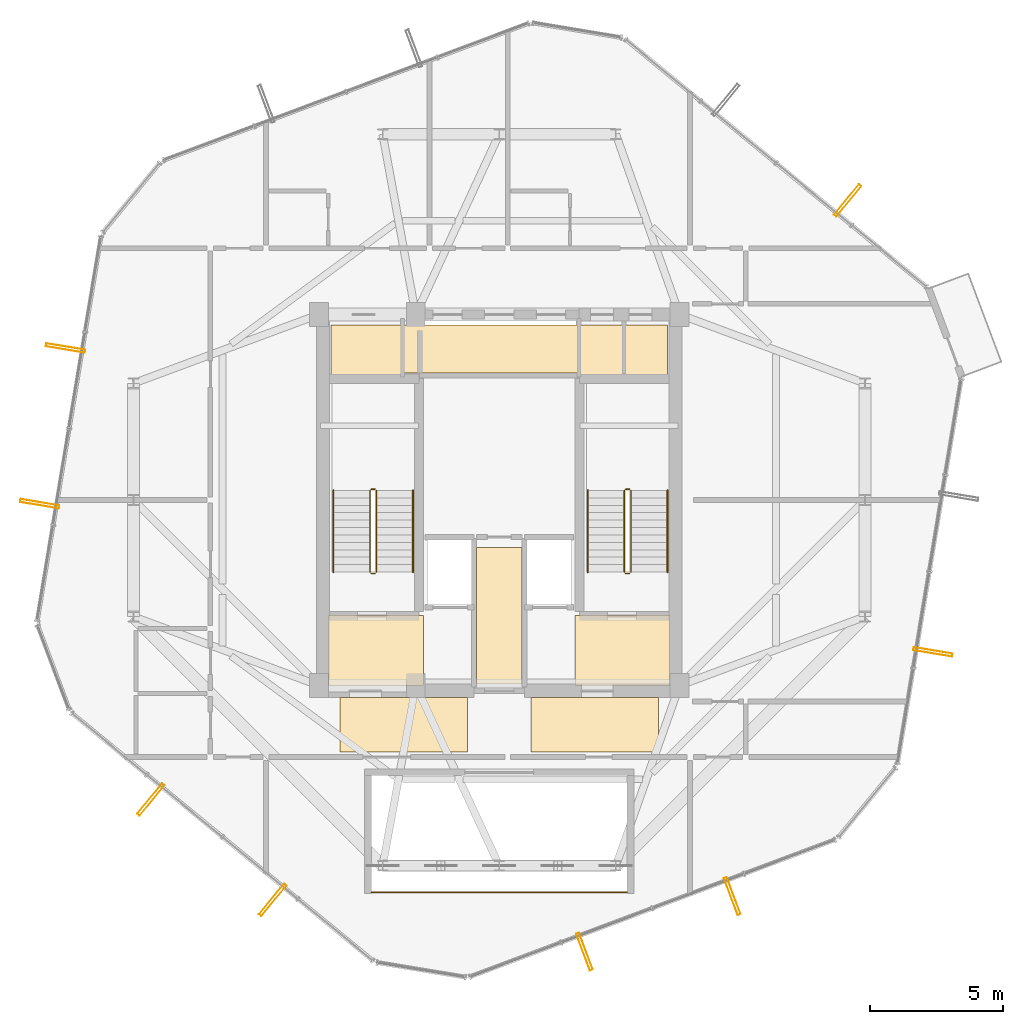
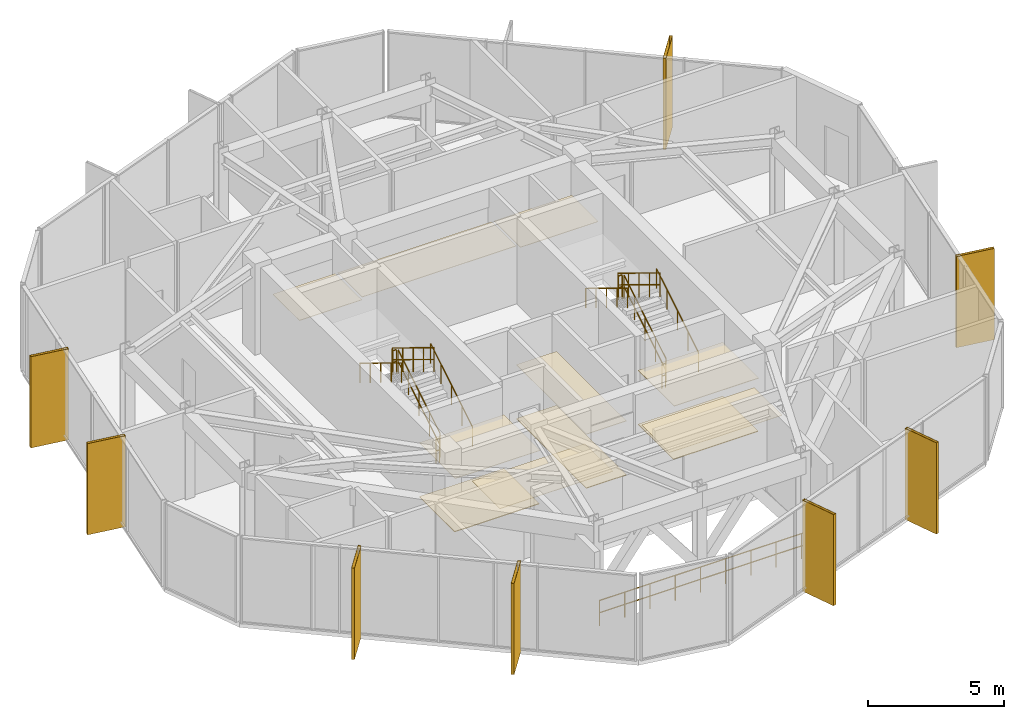
# One storey, part 21 of 22: 13 railings, 11 coverings, 8 shading devices.
"""IFC4 building model written with IfcOpenShell, lengths in metres."""

from ifc_helpers import new_model, si_unit, direction, frame, origin, origin_2d, place, context, subcontext, project, spatial, polyline, hollow_rectangle, circle, outline, extrude, material, layer, layer_set, material_profile, profile_set, type_object, element, save


model = new_model("IFC4")

# Units and contexts
model_context = context("Model", 3, precision=1e-05, world=origin(), true_north=direction((0.0, 1.0)))
body_context = subcontext(model_context, "Body", "Model", "MODEL_VIEW")
ifc_project = project(units=[si_unit("LENGTHUNIT", "METRE"), si_unit("AREAUNIT", "SQUARE_METRE"), si_unit("VOLUMEUNIT", "CUBIC_METRE"), si_unit("PLANEANGLEUNIT", "RADIAN"), si_unit("MASSUNIT", "GRAM", prefix="KILO")], contexts=[model_context])

# Site, building, storey
site_placement = place(None, origin())
site = spatial("IfcSite", under=ifc_project, at=site_placement, CompositionType="ELEMENT")
building_placement = place(site_placement, origin())
building = spatial("IfcBuilding", under=site, at=building_placement, Name="Veraguas Prism Commons", CompositionType="ELEMENT")
storey_placement = place(building_placement, frame((0.0, 0.0, 240.64990234375)))
storey = spatial("IfcBuildingStorey", under=building, at=storey_placement, Name="L68", CompositionType="ELEMENT", Elevation=240.64990234375)

# Shading devices
ifc_material_1 = material(Name="Anodised aluminium EN AW-6063 T6", Category="aluminium")
ifc_material_profile = material_profile(ifc_material_1, hollow_rectangle(XDim=0.1201171875, YDim=1.489990234375, WallThickness=0.006103515625, at=origin_2d()), Name="FIN120X1490X6")
ifc_profile_set = profile_set([ifc_material_profile], Name="Anodised aluminium EN AW-6063 T6")
shading_device_type = type_object("IfcShadingDeviceType", Name="Deep Pale-Metal Vertical Solar Fin 120x1490", PredefinedType="USERDEFINED", material=ifc_profile_set)
for number, where, z_axis, x_axis, name in (
    (1, (37.1455078125, 35.3037109375, -0.21484375), (0.0, 0.0, 1.0), (-0.772516396797, 0.634994816262, 0.0), "Vertical Pale-Metal Solar Fin L68-F1A"),
    (2, (7.63818359375, 29.732421875, -0.21484375), (0.0, 0.0, 1.0), (-0.163666887347, -0.986515661298, 0.0), "Vertical Pale-Metal Solar Fin L68-F3A"),
    (3, (6.66357421875, 23.8583984375, -0.21484375), (0.0, 0.0, 1.0), (-0.163666887347, -0.986515661298, 0.0), "Vertical Pale-Metal Solar Fin L68-F3B"),
    (4, (10.8544921875, 12.6962890625, -0.21484375), (0.0, 0.0, 1.0), (0.772516396797, -0.634994816262, 0.0), "Vertical Pale-Metal Solar Fin L68-F4A"),
    (5, (15.45458984375, 8.915283203125, -0.21484375), (0.0, 0.0, 1.0), (0.772516396797, -0.634994816262, 0.0), "Vertical Pale-Metal Solar Fin L68-F4B"),
    (6, (27.21630859375, 6.9638671875, -0.21484375), (0.0, 0.0, 1.0), (0.936182294613, 0.351514880558, 0.0), "Vertical Pale-Metal Solar Fin L68-F5A"),
    (7, (32.791015625, 9.056884765625, -0.21484375), (0.0, 0.0, 1.0), (0.936182294613, 0.351514880558, 0.0), "Vertical Pale-Metal Solar Fin L68-F5B"),
    (8, (40.36181640625, 18.267578125, -0.21484375), (0.0, 0.0, 1.0), (0.163666887347, 0.986515661298, 0.0), "Vertical Pale-Metal Solar Fin L68-F6A"),
):
    element("IfcShadingDevice", number, at=place(storey_placement, frame(where, z_axis=z_axis, x_axis=x_axis)), inside=storey, type_object=shading_device_type, Name=name, ObjectType="FIN", PredefinedType="USERDEFINED", context=body_context, shape_type="SweptSolid", body=[
        extrude(hollow_rectangle(XDim=0.1201171875, YDim=1.489990234375, WallThickness=0.006103515625, at=origin_2d()), origin(), (0.0, 0.0, 1.0), 4.099853515625),
    ])

# Coverings
ifc_material_2 = material(Name="Acoustic gypsum board")
ifc_layer_1 = layer(ifc_material_2, 0.02490234375, Name="Perforated Acoustic Ceiling Tile 25")
ifc_layer_set_1 = layer_set([ifc_layer_1], Name="Acoustic gypsum board")
covering_type_1 = type_object("IfcCoveringType", Name="Perforated Acoustic Ceiling Tile 25", PredefinedType="USERDEFINED", material=ifc_layer_set_1)
covering_1_placement = place(storey_placement, frame((0.0, 0.0, 2.425048828125)))
element("IfcCovering", 9, at=covering_1_placement, inside=storey, type_object=covering_type_1, Name="East Lobby Acoustic Ceiling L68", ObjectType="ACOUSTIC CEILING", PredefinedType="USERDEFINED", context=body_context, shape_type="SweptSolid", body=[
    extrude(outline(polyline([(26.85009765625, 17.0), (30.449951171875, 17.0), (30.449951171875, 19.64990234375), (26.85009765625, 19.64990234375), (26.85009765625, 17.0)])), origin(), (0.0, 0.0, 1.0), 0.025146484375),
])
ifc_material_3 = material(Name="Terrazzo stone finish", Category="masonry")
ifc_layer_2 = layer(ifc_material_3, 0.030029296875, Name="Polished Terrazzo Floor Finish 30", Category="masonry")
ifc_layer_set_2 = layer_set([ifc_layer_2], Name="Terrazzo stone finish")
covering_type_2 = type_object("IfcCoveringType", Name="Polished Terrazzo Floor Finish 30", PredefinedType="FLOORING", material=ifc_layer_set_2)
covering_2_placement = place(storey_placement, origin())
element("IfcCovering", 10, at=covering_2_placement, inside=storey, type_object=covering_type_2, Name="Terrazzo Lobby Flooring L68", PredefinedType="FLOORING", context=body_context, shape_type="SweptSolid", body=[
    extrude(outline(polyline([(23.14990234375, 17.050048828125), (24.85009765625, 17.050048828125), (24.85009765625, 22.199951171875), (23.14990234375, 22.199951171875), (23.14990234375, 17.050048828125)])), origin(), (0.0, 0.0, 1.0), 0.030029296875),
])
covering_3_placement = place(storey_placement, origin())
element("IfcCovering", 11, at=covering_3_placement, inside=storey, type_object=covering_type_2, Name="West FF Lobby Terrazzo Flooring L68", PredefinedType="FLOORING", context=body_context, shape_type="SweptSolid", body=[
    extrude(outline(polyline([(17.550048828125, 17.050048828125), (21.14990234375, 17.050048828125), (21.14990234375, 19.64990234375), (17.550048828125, 19.64990234375), (17.550048828125, 17.050048828125)])), origin(), (0.0, 0.0, 1.0), 0.030029296875),
])
covering_4_placement = place(storey_placement, origin())
element("IfcCovering", 12, at=covering_4_placement, inside=storey, type_object=covering_type_2, Name="East FF Lobby Terrazzo Flooring L68", PredefinedType="FLOORING", context=body_context, shape_type="SweptSolid", body=[
    extrude(outline(polyline([(26.85009765625, 17.050048828125), (30.449951171875, 17.050048828125), (30.449951171875, 19.64990234375), (26.85009765625, 19.64990234375), (26.85009765625, 17.050048828125)])), origin(), (0.0, 0.0, 1.0), 0.030029296875),
])

# Railings
ifc_material_4 = material(Name="Stainless steel AISI 316", Category="steel")
railing_type_1 = type_object("IfcRailingType", Name="Setback and Wind Portal Guardrail 1150", PredefinedType="GUARDRAIL", material=ifc_material_4)
railing_1_placement = place(storey_placement, frame((19.175048828125, 9.199951171875, 0.0)))
element("IfcRailing", 13, at=railing_1_placement, inside=storey, type_object=railing_type_1, Name="Wind Portal Aerodynamic Lip Guardrail L68", PredefinedType="GUARDRAIL", context=body_context, shape_type="SweptSolid", body=[
    extrude(circle(Radius=0.02392578125, at=origin_2d()), frame((0.0, 0.0, 1.1259765625), z_axis=(1.0, 0.0, 0.0), x_axis=(0.0, 1.0, 0.0)), (0.0, 0.0, 1.0), 9.64990234375),
    extrude(circle(Radius=0.02392578125, at=origin_2d()), frame((0.0, 0.0, 0.574951171875), z_axis=(1.0, 0.0, 0.0), x_axis=(0.0, 1.0, 0.0)), (0.0, 0.0, 1.0), 9.64990234375),
    extrude(circle(Radius=0.02099609375, at=origin_2d()), origin(), (0.0, 0.0, 1.0), 1.101806640625),
    extrude(circle(Radius=0.02099609375, at=origin_2d()), frame((1.072265625, 0.0, 0.0)), (0.0, 0.0, 1.0), 1.101806640625),
    extrude(circle(Radius=0.02099609375, at=origin_2d()), frame((2.14453125, 0.0, 0.0)), (0.0, 0.0, 1.0), 1.101806640625),
    extrude(circle(Radius=0.02099609375, at=origin_2d()), frame((3.216552734375, 0.0, 0.0)), (0.0, 0.0, 1.0), 1.101806640625),
    extrude(circle(Radius=0.02099609375, at=origin_2d()), frame((4.288818359375, 0.0, 0.0)), (0.0, 0.0, 1.0), 1.101806640625),
    extrude(circle(Radius=0.02099609375, at=origin_2d()), frame((5.361083984375, 0.0, 0.0)), (0.0, 0.0, 1.0), 1.101806640625),
    extrude(circle(Radius=0.02099609375, at=origin_2d()), frame((6.433349609375, 0.0, 0.0)), (0.0, 0.0, 1.0), 1.101806640625),
    extrude(circle(Radius=0.02099609375, at=origin_2d()), frame((7.50537109375, 0.0, 0.0)), (0.0, 0.0, 1.0), 1.101806640625),
    extrude(circle(Radius=0.02099609375, at=origin_2d()), frame((8.57763671875, 0.0, 0.0)), (0.0, 0.0, 1.0), 1.101806640625),
    extrude(circle(Radius=0.02099609375, at=origin_2d()), frame((9.64990234375, 0.0, 0.0)), (0.0, 0.0, 1.0), 1.101806640625),
])
railing_type_2 = type_object("IfcRailingType", Name="Stair and Ramp Stainless Handrail 900", PredefinedType="HANDRAIL", material=ifc_material_4)
railing_2_placement = place(storey_placement, frame((20.75, 21.280029296875, 0.1708984375)))
element("IfcRailing", 14, at=railing_2_placement, inside=storey, type_object=railing_type_2, Name="Stair Handrail ST-01 L68-1", PredefinedType="HANDRAIL", context=body_context, shape_type="SweptSolid", body=[
    extrude(circle(Radius=0.02392578125, at=origin_2d()), frame((0.0, 0.0, 0.8759765625), z_axis=(0.0, 0.853666305674, 0.52082035152), x_axis=(-1.0, 0.0, 0.0)), (0.0, 0.0, 1.0), 3.608154296875),
    extrude(circle(Radius=0.02099609375, at=origin_2d()), origin(), (0.0, 0.0, 1.0), 0.851806640625),
    extrude(circle(Radius=0.02099609375, at=origin_2d()), frame((0.0, 0.77001953125, 0.4697265625)), (0.0, 0.0, 1.0), 0.851806640625),
    extrude(circle(Radius=0.02099609375, at=origin_2d()), frame((0.0, 1.5400390625, 0.939453125)), (0.0, 0.0, 1.0), 0.851806640625),
    extrude(circle(Radius=0.02099609375, at=origin_2d()), frame((0.0, 2.31005859375, 1.409423828125)), (0.0, 0.0, 1.0), 0.851806640625),
    extrude(circle(Radius=0.02099609375, at=origin_2d()), frame((0.0, 3.080078125, 1.879150390625)), (0.0, 0.0, 1.0), 0.851806640625),
])
railing_3_placement = place(storey_placement, frame((17.739990234375, 24.360107421875, 2.220947265625)))
element("IfcRailing", 15, at=railing_3_placement, inside=storey, type_object=railing_type_2, Name="Stair Handrail ST-01 L68-2", PredefinedType="HANDRAIL", context=body_context, shape_type="SweptSolid", body=[
    extrude(circle(Radius=0.02392578125, at=origin_2d()), frame((0.0, 0.0, 0.8759765625), z_axis=(0.0, -0.853666305674, 0.52082035152), x_axis=(1.0, 0.0, 0.0)), (0.0, 0.0, 1.0), 3.608154296875),
    extrude(circle(Radius=0.02099609375, at=origin_2d()), origin(), (0.0, 0.0, 1.0), 0.851806640625),
    extrude(circle(Radius=0.02099609375, at=origin_2d()), frame((0.0, -0.77001953125, 0.4697265625)), (0.0, 0.0, 1.0), 0.851806640625),
    extrude(circle(Radius=0.02099609375, at=origin_2d()), frame((0.0, -1.5400390625, 0.939453125)), (0.0, 0.0, 1.0), 0.851806640625),
    extrude(circle(Radius=0.02099609375, at=origin_2d()), frame((0.0, -2.31005859375, 1.409423828125)), (0.0, 0.0, 1.0), 0.851806640625),
    extrude(circle(Radius=0.02099609375, at=origin_2d()), frame((0.0, -3.080078125, 1.879150390625)), (0.0, 0.0, 1.0), 0.851806640625),
])
railing_4_placement = place(storey_placement, frame((30.35009765625, 21.280029296875, 0.1708984375)))
element("IfcRailing", 16, at=railing_4_placement, inside=storey, type_object=railing_type_2, Name="Stair Handrail ST-02 L68-1", PredefinedType="HANDRAIL", context=body_context, shape_type="SweptSolid", body=[
    extrude(circle(Radius=0.02392578125, at=origin_2d()), frame((0.0, 0.0, 0.8759765625), z_axis=(0.0, 0.853666305674, 0.52082035152), x_axis=(-1.0, 0.0, 0.0)), (0.0, 0.0, 1.0), 3.608154296875),
    extrude(circle(Radius=0.02099609375, at=origin_2d()), origin(), (0.0, 0.0, 1.0), 0.851806640625),
    extrude(circle(Radius=0.02099609375, at=origin_2d()), frame((0.0, 0.77001953125, 0.4697265625)), (0.0, 0.0, 1.0), 0.851806640625),
    extrude(circle(Radius=0.02099609375, at=origin_2d()), frame((0.0, 1.5400390625, 0.939453125)), (0.0, 0.0, 1.0), 0.851806640625),
    extrude(circle(Radius=0.02099609375, at=origin_2d()), frame((0.0, 2.31005859375, 1.409423828125)), (0.0, 0.0, 1.0), 0.851806640625),
    extrude(circle(Radius=0.02099609375, at=origin_2d()), frame((0.0, 3.080078125, 1.879150390625)), (0.0, 0.0, 1.0), 0.851806640625),
])
railing_5_placement = place(storey_placement, frame((27.340087890625, 24.360107421875, 2.220947265625)))
element("IfcRailing", 17, at=railing_5_placement, inside=storey, type_object=railing_type_2, Name="Stair Handrail ST-02 L68-2", PredefinedType="HANDRAIL", context=body_context, shape_type="SweptSolid", body=[
    extrude(circle(Radius=0.02392578125, at=origin_2d()), frame((0.0, 0.0, 0.8759765625), z_axis=(0.0, -0.853666305674, 0.52082035152), x_axis=(1.0, 0.0, 0.0)), (0.0, 0.0, 1.0), 3.608154296875),
    extrude(circle(Radius=0.02099609375, at=origin_2d()), origin(), (0.0, 0.0, 1.0), 0.851806640625),
    extrude(circle(Radius=0.02099609375, at=origin_2d()), frame((0.0, -0.77001953125, 0.4697265625)), (0.0, 0.0, 1.0), 0.851806640625),
    extrude(circle(Radius=0.02099609375, at=origin_2d()), frame((0.0, -1.5400390625, 0.939453125)), (0.0, 0.0, 1.0), 0.851806640625),
    extrude(circle(Radius=0.02099609375, at=origin_2d()), frame((0.0, -2.31005859375, 1.409423828125)), (0.0, 0.0, 1.0), 0.851806640625),
    extrude(circle(Radius=0.02099609375, at=origin_2d()), frame((0.0, -3.080078125, 1.879150390625)), (0.0, 0.0, 1.0), 0.851806640625),
])
railing_type_3 = type_object("IfcRailingType", Name="Stairwell Safety Guardrail 1100", PredefinedType="GUARDRAIL", material=ifc_material_4)
railing_6_placement = place(storey_placement, frame((19.3701171875, 21.280029296875, 0.1708984375)))
element("IfcRailing", 18, at=railing_6_placement, inside=storey, type_object=railing_type_3, Name="Stair Guard ST-01 L68-1", PredefinedType="GUARDRAIL", context=body_context, shape_type="SweptSolid", body=[
    extrude(circle(Radius=0.02392578125, at=origin_2d()), frame((0.0, 0.0, 1.076171875), z_axis=(0.0, 0.853666305674, 0.52082035152), x_axis=(-1.0, 0.0, 0.0)), (0.0, 0.0, 1.0), 3.608154296875),
    extrude(circle(Radius=0.02392578125, at=origin_2d()), frame((0.0, 0.0, 0.550048828125), z_axis=(0.0, 0.853666305674, 0.52082035152), x_axis=(-1.0, 0.0, 0.0)), (0.0, 0.0, 1.0), 3.608154296875),
    extrude(circle(Radius=0.02099609375, at=origin_2d()), origin(), (0.0, 0.0, 1.0), 1.052001953125),
    extrude(circle(Radius=0.02099609375, at=origin_2d()), frame((0.0, 0.77001953125, 0.4697265625)), (0.0, 0.0, 1.0), 1.052001953125),
    extrude(circle(Radius=0.02099609375, at=origin_2d()), frame((0.0, 1.5400390625, 0.939453125)), (0.0, 0.0, 1.0), 1.052001953125),
    extrude(circle(Radius=0.02099609375, at=origin_2d()), frame((0.0, 2.31005859375, 1.409423828125)), (0.0, 0.0, 1.0), 1.052001953125),
    extrude(circle(Radius=0.02099609375, at=origin_2d()), frame((0.0, 3.080078125, 1.879150390625)), (0.0, 0.0, 1.0), 1.052001953125),
])
railing_7_placement = place(storey_placement, frame((19.320068359375, 24.409912109375, 2.050048828125)))
element("IfcRailing", 19, at=railing_7_placement, inside=storey, type_object=railing_type_3, Name="Stair Guard ST-01 L68-2", PredefinedType="GUARDRAIL", context=body_context, shape_type="SweptSolid", body=[
    extrude(circle(Radius=0.02392578125, at=origin_2d()), frame((0.0, 0.0, 1.076171875), z_axis=(-1.0, 0.0, 0.0), x_axis=(0.0, -1.0, 0.0)), (0.0, 0.0, 1.0), 0.150146484375),
    extrude(circle(Radius=0.02392578125, at=origin_2d()), frame((0.0, 0.0, 0.550048828125), z_axis=(-1.0, 0.0, 0.0), x_axis=(0.0, -1.0, 0.0)), (0.0, 0.0, 1.0), 0.150146484375),
    extrude(circle(Radius=0.02099609375, at=origin_2d()), origin(), (0.0, 0.0, 1.0), 1.052001953125),
    extrude(circle(Radius=0.02099609375, at=origin_2d()), frame((-0.150146484375, 0.0, 0.0)), (0.0, 0.0, 1.0), 1.052001953125),
])
railing_8_placement = place(storey_placement, frame((19.1201171875, 24.360107421875, 2.220947265625)))
element("IfcRailing", 20, at=railing_8_placement, inside=storey, type_object=railing_type_3, Name="Stair Guard ST-01 L68-3", PredefinedType="GUARDRAIL", context=body_context, shape_type="SweptSolid", body=[
    extrude(circle(Radius=0.02392578125, at=origin_2d()), frame((0.0, 0.0, 1.076171875), z_axis=(0.0, -0.853666305674, 0.52082035152), x_axis=(1.0, 0.0, 0.0)), (0.0, 0.0, 1.0), 3.608154296875),
    extrude(circle(Radius=0.02392578125, at=origin_2d()), frame((0.0, 0.0, 0.550048828125), z_axis=(0.0, -0.853666305674, 0.52082035152), x_axis=(1.0, 0.0, 0.0)), (0.0, 0.0, 1.0), 3.608154296875),
    extrude(circle(Radius=0.02099609375, at=origin_2d()), origin(), (0.0, 0.0, 1.0), 1.052001953125),
    extrude(circle(Radius=0.02099609375, at=origin_2d()), frame((0.0, -0.77001953125, 0.4697265625)), (0.0, 0.0, 1.0), 1.052001953125),
    extrude(circle(Radius=0.02099609375, at=origin_2d()), frame((0.0, -1.5400390625, 0.939453125)), (0.0, 0.0, 1.0), 1.052001953125),
    extrude(circle(Radius=0.02099609375, at=origin_2d()), frame((0.0, -2.31005859375, 1.409423828125)), (0.0, 0.0, 1.0), 1.052001953125),
    extrude(circle(Radius=0.02099609375, at=origin_2d()), frame((0.0, -3.080078125, 1.879150390625)), (0.0, 0.0, 1.0), 1.052001953125),
])
railing_9_placement = place(storey_placement, frame((19.320068359375, 21.22998046875, 0.0)))
element("IfcRailing", 21, at=railing_9_placement, inside=storey, type_object=railing_type_3, Name="Stair Guard ST-01 L68-4", PredefinedType="GUARDRAIL", context=body_context, shape_type="SweptSolid", body=[
    extrude(circle(Radius=0.02392578125, at=origin_2d()), frame((0.0, 0.0, 1.076171875), z_axis=(-1.0, 0.0, 0.0), x_axis=(0.0, -1.0, 0.0)), (0.0, 0.0, 1.0), 0.150146484375),
    extrude(circle(Radius=0.02392578125, at=origin_2d()), frame((0.0, 0.0, 0.550048828125), z_axis=(-1.0, 0.0, 0.0), x_axis=(0.0, -1.0, 0.0)), (0.0, 0.0, 1.0), 0.150146484375),
    extrude(circle(Radius=0.02099609375, at=origin_2d()), origin(), (0.0, 0.0, 1.0), 1.052001953125),
    extrude(circle(Radius=0.02099609375, at=origin_2d()), frame((-0.150146484375, 0.0, 0.0)), (0.0, 0.0, 1.0), 1.052001953125),
])
railing_10_placement = place(storey_placement, frame((28.969970703125, 21.280029296875, 0.1708984375)))
element("IfcRailing", 22, at=railing_10_placement, inside=storey, type_object=railing_type_3, Name="Stair Guard ST-02 L68-1", PredefinedType="GUARDRAIL", context=body_context, shape_type="SweptSolid", body=[
    extrude(circle(Radius=0.02392578125, at=origin_2d()), frame((0.0, 0.0, 1.076171875), z_axis=(0.0, 0.853666305674, 0.52082035152), x_axis=(-1.0, 0.0, 0.0)), (0.0, 0.0, 1.0), 3.608154296875),
    extrude(circle(Radius=0.02392578125, at=origin_2d()), frame((0.0, 0.0, 0.550048828125), z_axis=(0.0, 0.853666305674, 0.52082035152), x_axis=(-1.0, 0.0, 0.0)), (0.0, 0.0, 1.0), 3.608154296875),
    extrude(circle(Radius=0.02099609375, at=origin_2d()), origin(), (0.0, 0.0, 1.0), 1.052001953125),
    extrude(circle(Radius=0.02099609375, at=origin_2d()), frame((0.0, 0.77001953125, 0.4697265625)), (0.0, 0.0, 1.0), 1.052001953125),
    extrude(circle(Radius=0.02099609375, at=origin_2d()), frame((0.0, 1.5400390625, 0.939453125)), (0.0, 0.0, 1.0), 1.052001953125),
    extrude(circle(Radius=0.02099609375, at=origin_2d()), frame((0.0, 2.31005859375, 1.409423828125)), (0.0, 0.0, 1.0), 1.052001953125),
    extrude(circle(Radius=0.02099609375, at=origin_2d()), frame((0.0, 3.080078125, 1.879150390625)), (0.0, 0.0, 1.0), 1.052001953125),
])
railing_11_placement = place(storey_placement, frame((28.919921875, 24.409912109375, 2.050048828125)))
element("IfcRailing", 23, at=railing_11_placement, inside=storey, type_object=railing_type_3, Name="Stair Guard ST-02 L68-2", PredefinedType="GUARDRAIL", context=body_context, shape_type="SweptSolid", body=[
    extrude(circle(Radius=0.02392578125, at=origin_2d()), frame((0.0, 0.0, 1.076171875), z_axis=(-1.0, 0.0, 0.0), x_axis=(0.0, -1.0, 0.0)), (0.0, 0.0, 1.0), 0.14990234375),
    extrude(circle(Radius=0.02392578125, at=origin_2d()), frame((0.0, 0.0, 0.550048828125), z_axis=(-1.0, 0.0, 0.0), x_axis=(0.0, -1.0, 0.0)), (0.0, 0.0, 1.0), 0.14990234375),
    extrude(circle(Radius=0.02099609375, at=origin_2d()), origin(), (0.0, 0.0, 1.0), 1.052001953125),
    extrude(circle(Radius=0.02099609375, at=origin_2d()), frame((-0.14990234375, 0.0, 0.0)), (0.0, 0.0, 1.0), 1.052001953125),
])
railing_12_placement = place(storey_placement, frame((28.719970703125, 24.360107421875, 2.220947265625)))
element("IfcRailing", 24, at=railing_12_placement, inside=storey, type_object=railing_type_3, Name="Stair Guard ST-02 L68-3", PredefinedType="GUARDRAIL", context=body_context, shape_type="SweptSolid", body=[
    extrude(circle(Radius=0.02392578125, at=origin_2d()), frame((0.0, 0.0, 1.076171875), z_axis=(0.0, -0.853666305674, 0.52082035152), x_axis=(1.0, 0.0, 0.0)), (0.0, 0.0, 1.0), 3.608154296875),
    extrude(circle(Radius=0.02392578125, at=origin_2d()), frame((0.0, 0.0, 0.550048828125), z_axis=(0.0, -0.853666305674, 0.52082035152), x_axis=(1.0, 0.0, 0.0)), (0.0, 0.0, 1.0), 3.608154296875),
    extrude(circle(Radius=0.02099609375, at=origin_2d()), origin(), (0.0, 0.0, 1.0), 1.052001953125),
    extrude(circle(Radius=0.02099609375, at=origin_2d()), frame((0.0, -0.77001953125, 0.4697265625)), (0.0, 0.0, 1.0), 1.052001953125),
    extrude(circle(Radius=0.02099609375, at=origin_2d()), frame((0.0, -1.5400390625, 0.939453125)), (0.0, 0.0, 1.0), 1.052001953125),
    extrude(circle(Radius=0.02099609375, at=origin_2d()), frame((0.0, -2.31005859375, 1.409423828125)), (0.0, 0.0, 1.0), 1.052001953125),
    extrude(circle(Radius=0.02099609375, at=origin_2d()), frame((0.0, -3.080078125, 1.879150390625)), (0.0, 0.0, 1.0), 1.052001953125),
])
railing_13_placement = place(storey_placement, frame((28.919921875, 21.22998046875, 0.0)))
element("IfcRailing", 25, at=railing_13_placement, inside=storey, type_object=railing_type_3, Name="Stair Guard ST-02 L68-4", PredefinedType="GUARDRAIL", context=body_context, shape_type="SweptSolid", body=[
    extrude(circle(Radius=0.02392578125, at=origin_2d()), frame((0.0, 0.0, 1.076171875), z_axis=(-1.0, 0.0, 0.0), x_axis=(0.0, -1.0, 0.0)), (0.0, 0.0, 1.0), 0.14990234375),
    extrude(circle(Radius=0.02392578125, at=origin_2d()), frame((0.0, 0.0, 0.550048828125), z_axis=(-1.0, 0.0, 0.0), x_axis=(0.0, -1.0, 0.0)), (0.0, 0.0, 1.0), 0.14990234375),
    extrude(circle(Radius=0.02099609375, at=origin_2d()), origin(), (0.0, 0.0, 1.0), 1.052001953125),
    extrude(circle(Radius=0.02099609375, at=origin_2d()), frame((-0.14990234375, 0.0, 0.0)), (0.0, 0.0, 1.0), 1.052001953125),
])

# Coverings
ifc_layer_3 = layer(ifc_material_2, 0.02001953125, Name="Suspended Gypsum Ceiling 20")
ifc_layer_set_3 = layer_set([ifc_layer_3], Name="Acoustic gypsum board")
covering_type_3 = type_object("IfcCoveringType", Name="Suspended Gypsum Ceiling 20", PredefinedType="CEILING", material=ifc_layer_set_3)
covering_5_placement = place(storey_placement, frame((0.0, 0.0, 2.43017578125)))
element("IfcCovering", 26, at=covering_5_placement, inside=storey, type_object=covering_type_3, Name="West Lobby Suspended Gypsum Ceiling L68", PredefinedType="CEILING", context=body_context, shape_type="SweptSolid", body=[
    extrude(outline(polyline([(17.550048828125, 17.0), (21.14990234375, 17.0), (21.14990234375, 19.64990234375), (17.550048828125, 19.64990234375), (17.550048828125, 17.0)])), origin(), (0.0, 0.0, 1.0), 0.02001953125),
])
covering_6_placement = place(storey_placement, frame((0.0, 0.0, 2.43017578125)))
element("IfcCovering", 27, at=covering_6_placement, inside=storey, type_object=covering_type_3, Name="Core Lobby Acoustic Ceiling L68-1", PredefinedType="CEILING", context=body_context, shape_type="SweptSolid", body=[
    extrude(outline(polyline([(18.0, 14.5), (22.800048828125, 14.5), (22.800048828125, 16.550048828125), (18.0, 16.550048828125), (18.0, 14.5)])), origin(), (0.0, 0.0, 1.0), 0.02001953125),
])
covering_7_placement = place(storey_placement, frame((0.0, 0.0, 2.43017578125)))
element("IfcCovering", 28, at=covering_7_placement, inside=storey, type_object=covering_type_3, Name="Core Lobby Acoustic Ceiling L68-2", PredefinedType="CEILING", context=body_context, shape_type="SweptSolid", body=[
    extrude(outline(polyline([(25.199951171875, 14.5), (30.0, 14.5), (30.0, 16.550048828125), (25.199951171875, 16.550048828125), (25.199951171875, 14.5)])), origin(), (0.0, 0.0, 1.0), 0.02001953125),
])
covering_8_placement = place(storey_placement, frame((0.0, 0.0, 2.43017578125)))
element("IfcCovering", 29, at=covering_8_placement, inside=storey, type_object=covering_type_3, Name="Core Lobby Acoustic Ceiling L68-3", PredefinedType="CEILING", context=body_context, shape_type="SweptSolid", body=[
    extrude(outline(polyline([(23.14990234375, 17.050048828125), (24.85009765625, 17.050048828125), (24.85009765625, 22.199951171875), (23.14990234375, 22.199951171875), (23.14990234375, 17.050048828125)])), origin(), (0.0, 0.0, 1.0), 0.02001953125),
])
covering_9_placement = place(storey_placement, frame((0.0, 0.0, 2.43017578125)))
element("IfcCovering", 30, at=covering_9_placement, inside=storey, type_object=covering_type_3, Name="Core Lobby Acoustic Ceiling L68-4", PredefinedType="CEILING", context=body_context, shape_type="SweptSolid", body=[
    extrude(outline(polyline([(17.64990234375, 28.64990234375), (20.300048828125, 28.64990234375), (20.300048828125, 30.60009765625), (17.64990234375, 30.60009765625), (17.64990234375, 28.64990234375)])), origin(), (0.0, 0.0, 1.0), 0.02001953125),
])
covering_10_placement = place(storey_placement, frame((0.0, 0.0, 2.43017578125)))
element("IfcCovering", 31, at=covering_10_placement, inside=storey, type_object=covering_type_3, Name="Core Lobby Acoustic Ceiling L68-5", PredefinedType="CEILING", context=body_context, shape_type="SweptSolid", body=[
    extrude(outline(polyline([(27.050048828125, 28.64990234375), (30.35009765625, 28.64990234375), (30.35009765625, 30.60009765625), (27.050048828125, 30.60009765625), (27.050048828125, 28.64990234375)])), origin(), (0.0, 0.0, 1.0), 0.02001953125),
])
covering_11_placement = place(storey_placement, frame((0.0, 0.0, 2.43017578125)))
element("IfcCovering", 32, at=covering_11_placement, inside=storey, type_object=covering_type_3, Name="Core Lobby Acoustic Ceiling L68-6", PredefinedType="CEILING", context=body_context, shape_type="SweptSolid", body=[
    extrude(outline(polyline([(20.39990234375, 28.800048828125), (26.949951171875, 28.800048828125), (26.949951171875, 30.60009765625), (20.39990234375, 30.60009765625), (20.39990234375, 28.800048828125)])), origin(), (0.0, 0.0, 1.0), 0.02001953125),
])

save(model, "model.ifc")
